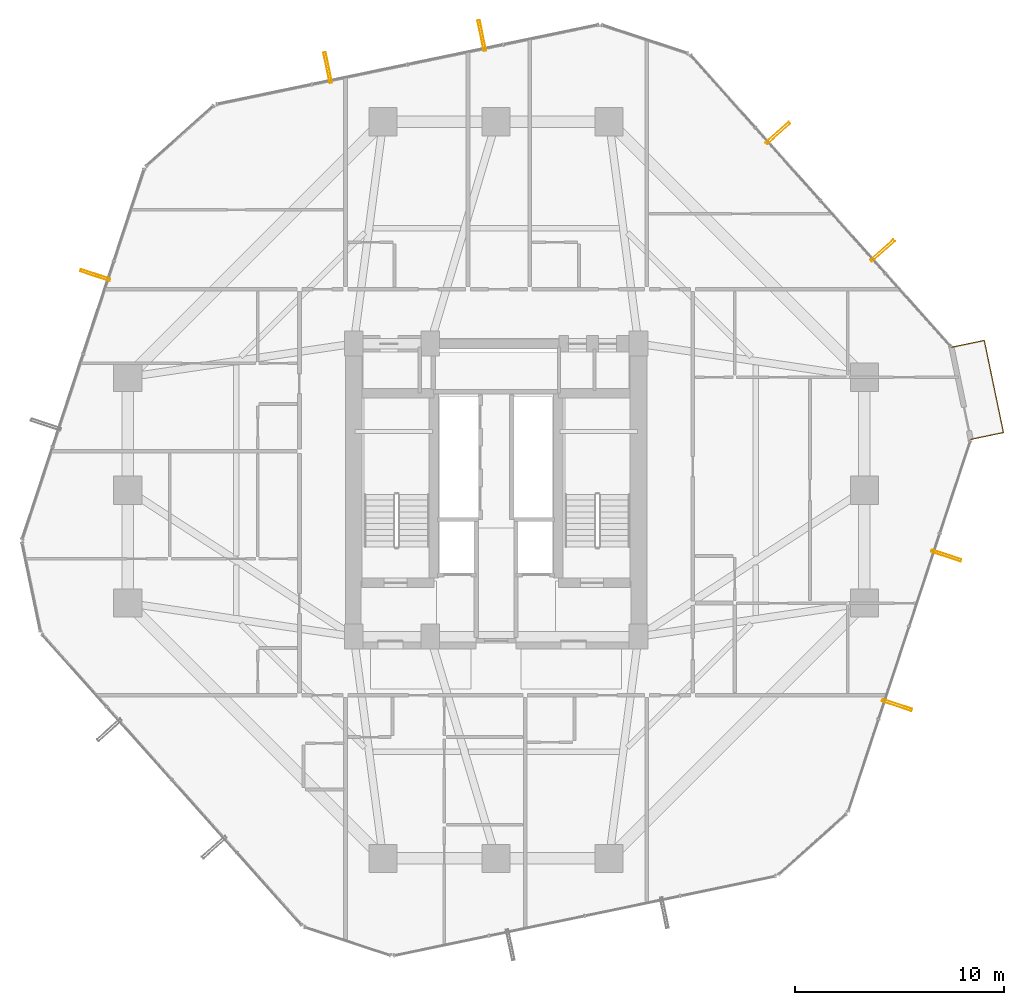
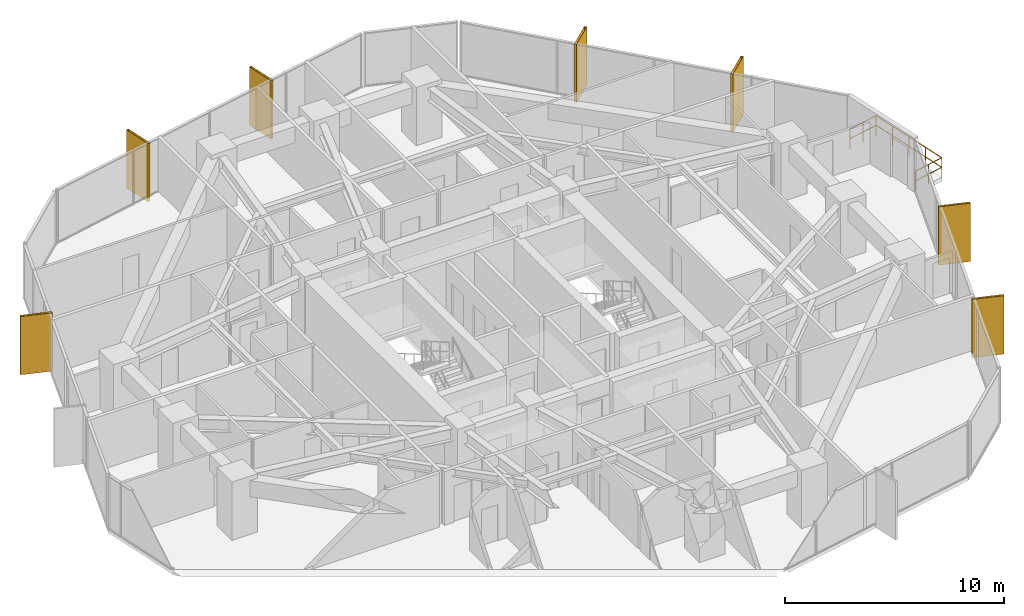
# One storey, part 38 of 38: 7 shading devices, 1 railing.
"""IFC4 building model written with IfcOpenShell, lengths in metres."""

from ifc_helpers import new_model, si_unit, direction, frame, origin, origin_2d, place, context, subcontext, project, spatial, hollow_rectangle, circle, extrude, material, material_profile, profile_set, type_object, element, save


model = new_model("IFC4")

# Units and contexts
model_context = context("Model", 3, precision=1e-05, world=origin(), true_north=direction((0.0, 1.0)))
body_context = subcontext(model_context, "Body", "Model", "MODEL_VIEW")
ifc_project = project(units=[si_unit("LENGTHUNIT", "METRE"), si_unit("AREAUNIT", "SQUARE_METRE"), si_unit("VOLUMEUNIT", "CUBIC_METRE"), si_unit("PLANEANGLEUNIT", "RADIAN"), si_unit("MASSUNIT", "GRAM", prefix="KILO")], contexts=[model_context])

# Site, building, storey
site_placement = place(None, origin())
site = spatial("IfcSite", under=ifc_project, at=site_placement, CompositionType="ELEMENT")
building_placement = place(site_placement, origin())
building = spatial("IfcBuilding", under=site, at=building_placement, Name="Veraguas Prism Commons", CompositionType="ELEMENT")
storey_placement = place(building_placement, frame((0.0, 0.0, 64.10009765625)))
storey = spatial("IfcBuildingStorey", under=building, at=storey_placement, Name="L17", CompositionType="ELEMENT", Elevation=64.10009765625)

# Shading devices
ifc_material_1 = material(Name="Anodised aluminium EN AW-6063 T6", Category="aluminium")
ifc_material_profile = material_profile(ifc_material_1, hollow_rectangle(XDim=0.1201171875, YDim=1.489990234375, WallThickness=0.006103515625, at=origin_2d()), Name="FIN120X1490X6")
ifc_profile_set = profile_set([ifc_material_profile], Name="Anodised aluminium EN AW-6063 T6")
shading_device_type = type_object("IfcShadingDeviceType", Name="Deep Pale-Metal Vertical Solar Fin 120x1490", PredefinedType="USERDEFINED", material=ifc_profile_set)
for number, where, z_axis, x_axis, name in (
    (1, (42.47509765625, 35.45361328125, -0.22998046875), (0.0, 0.0, 1.0), (-0.666011867434, 0.745941145424, 0.0), "Vertical Pale-Metal Solar Fin L17-F1A"),
    (2, (37.465576171875, 41.064453125, -0.22998046875), (0.0, 0.0, 1.0), (-0.666011867434, 0.745941145424, 0.0), "Vertical Pale-Metal Solar Fin L17-F1B"),
    (3, (23.318359375, 45.726806640625, -0.22998046875), (0.0, 0.0, 1.0), (-0.979009559661, -0.203814332402, 0.0), "Vertical Pale-Metal Solar Fin L17-F2A"),
    (4, (15.95458984375, 44.193603515625, -0.22998046875), (0.0, 0.0, 1.0), (-0.979009559661, -0.203814332402, 0.0), "Vertical Pale-Metal Solar Fin L17-F2B"),
    (5, (4.84326171875, 34.27294921875, -0.22998046875), (0.0, 0.0, 1.0), (-0.312993075045, -0.949755407973, 0.0), "Vertical Pale-Metal Solar Fin L17-F3A"),
    (6, (43.15673828125, 13.72705078125, -0.22998046875), (0.0, 0.0, 1.0), (0.312993075045, 0.949755407973, 0.0), "Vertical Pale-Metal Solar Fin L17-F6A"),
    (7, (45.510986328125, 20.87060546875, -0.22998046875), (0.0, 0.0, 1.0), (0.312993075045, 0.949755407973, 0.0), "Vertical Pale-Metal Solar Fin L17-F6B"),
):
    element("IfcShadingDevice", number, at=place(storey_placement, frame(where, z_axis=z_axis, x_axis=x_axis)), inside=storey, type_object=shading_device_type, Name=name, ObjectType="FIN", PredefinedType="USERDEFINED", context=body_context, shape_type="SweptSolid", body=[
        extrude(hollow_rectangle(XDim=0.1201171875, YDim=1.489990234375, WallThickness=0.006103515625, at=origin_2d()), origin(), (0.0, 0.0, 1.0), 3.25),
    ])

# Railing
ifc_material_2 = material(Name="Stainless steel AISI 316", Category="steel")
railing_type = type_object("IfcRailingType", Name="Loggia and Sky Pool Glazed Balustrade 1120", PredefinedType="BALUSTRADE", material=ifc_material_2)
railing_placement = place(storey_placement, frame((46.68310546875, 26.424072265625, 0.0)))
element("IfcRailing", 8, at=railing_placement, inside=storey, type_object=railing_type, Name="Recessed Corner Loggia L17-C1 Guard", PredefinedType="BALUSTRADE", context=body_context, shape_type="SweptSolid", body=[
    extrude(circle(Radius=0.02392578125, at=origin_2d()), frame((0.0, 0.0, 1.09619140625), z_axis=(0.979031168809, 0.203710506602, 0.0), x_axis=(-0.203710506602, 0.979031168809, 0.0)), (0.0, 0.0, 1.0), 1.599853515625),
    extrude(circle(Radius=0.02392578125, at=origin_2d()), frame((0.0, 0.0, 0.56005859375), z_axis=(0.979031168809, 0.203710506602, 0.0), x_axis=(-0.203710506602, 0.979031168809, 0.0)), (0.0, 0.0, 1.0), 1.599853515625),
    extrude(circle(Radius=0.02392578125, at=origin_2d()), frame((1.56640625, 0.325927734375, 1.09619140625), z_axis=(-0.203830760111, 0.979006139527, 0.0), x_axis=(-0.979006139527, -0.203830760111, 0.0)), (0.0, 0.0, 1.0), 4.5),
    extrude(circle(Radius=0.02392578125, at=origin_2d()), frame((1.56640625, 0.325927734375, 0.56005859375), z_axis=(-0.203830760111, 0.979006139527, 0.0), x_axis=(-0.979006139527, -0.203830760111, 0.0)), (0.0, 0.0, 1.0), 4.5),
    extrude(circle(Radius=0.02392578125, at=origin_2d()), frame((0.649169921875, 4.7314453125, 1.09619140625), z_axis=(-0.979031168809, -0.203710506602, 0.0), x_axis=(0.203710506602, -0.979031168809, 0.0)), (0.0, 0.0, 1.0), 1.599853515625),
    extrude(circle(Radius=0.02392578125, at=origin_2d()), frame((0.649169921875, 4.7314453125, 0.56005859375), z_axis=(-0.979031168809, -0.203710506602, 0.0), x_axis=(0.203710506602, -0.979031168809, 0.0)), (0.0, 0.0, 1.0), 1.599853515625),
    extrude(circle(Radius=0.02099609375, at=origin_2d()), origin(), (0.0, 0.0, 1.0), 1.072021484375),
    extrude(circle(Radius=0.02099609375, at=origin_2d()), frame((0.783203125, 0.1630859375, 0.0)), (0.0, 0.0, 1.0), 1.072021484375),
    extrude(circle(Radius=0.02099609375, at=origin_2d()), frame((1.56640625, 0.325927734375, 0.0)), (0.0, 0.0, 1.0), 1.072021484375),
    extrude(circle(Radius=0.02099609375, at=origin_2d()), frame((1.337158203125, 1.42724609375, 0.0)), (0.0, 0.0, 1.0), 1.072021484375),
    extrude(circle(Radius=0.02099609375, at=origin_2d()), frame((1.10791015625, 2.52880859375, 0.0)), (0.0, 0.0, 1.0), 1.072021484375),
    extrude(circle(Radius=0.02099609375, at=origin_2d()), frame((0.87841796875, 3.630126953125, 0.0)), (0.0, 0.0, 1.0), 1.072021484375),
    extrude(circle(Radius=0.02099609375, at=origin_2d()), frame((0.649169921875, 4.7314453125, 0.0)), (0.0, 0.0, 1.0), 1.072021484375),
    extrude(circle(Radius=0.02099609375, at=origin_2d()), frame((-0.134033203125, 4.568359375, 0.0)), (0.0, 0.0, 1.0), 1.072021484375),
    extrude(circle(Radius=0.02099609375, at=origin_2d()), frame((-0.917236328125, 4.405517578125, 0.0)), (0.0, 0.0, 1.0), 1.072021484375),
])

save(model, "model.ifc")
